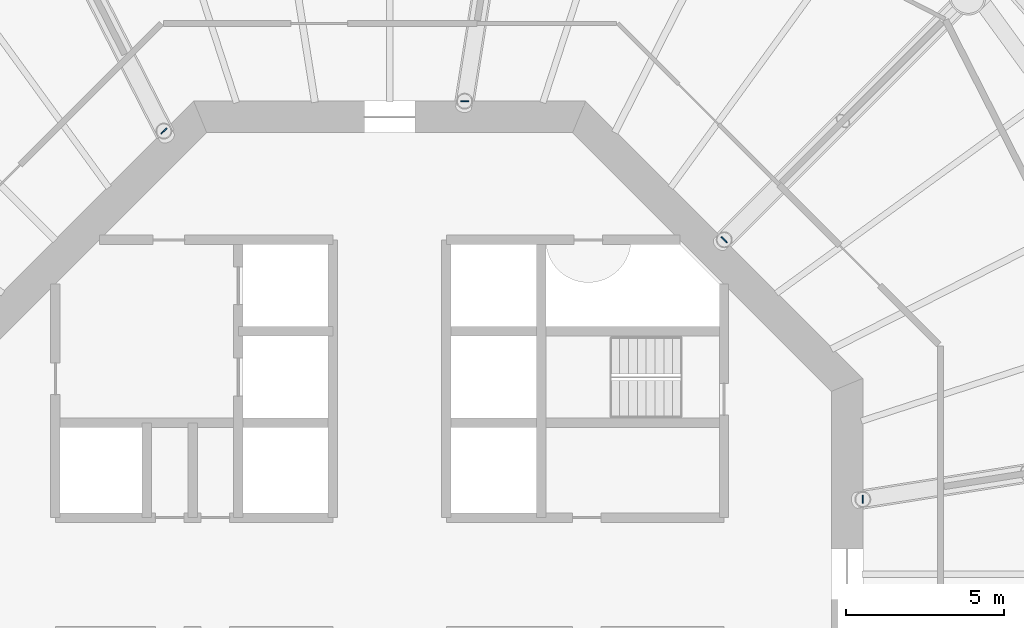
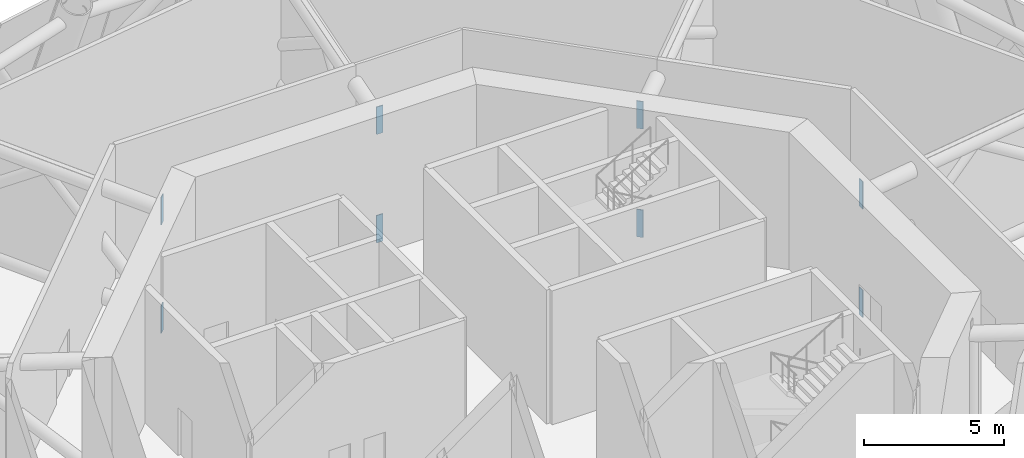
# One storey, part 12 of 15: 8 discrete accessories.
"""IFC4 building model written with IfcOpenShell, lengths in metres."""

from ifc_helpers import new_model, si_unit, direction, frame, origin, origin_2d, place, context, subcontext, project, spatial, rectangle, extrude, material, element, save


model = new_model("IFC4")

# Units and contexts
model_context = context("Model", 3, precision=1e-05, world=origin(), true_north=direction((0.0, 1.0)))
body_context = subcontext(model_context, "Body", "Model", "MODEL_VIEW")
ifc_project = project(units=[si_unit("LENGTHUNIT", "METRE"), si_unit("AREAUNIT", "SQUARE_METRE"), si_unit("VOLUMEUNIT", "CUBIC_METRE"), si_unit("PLANEANGLEUNIT", "RADIAN"), si_unit("MASSUNIT", "GRAM", prefix="KILO")], contexts=[model_context])

# Site, building, storey
site_placement = place(None, origin())
site = spatial("IfcSite", under=ifc_project, at=site_placement, CompositionType="ELEMENT")
building_placement = place(site_placement, origin())
building = spatial("IfcBuilding", under=site, at=building_placement, Name="Entoto Ring Tower", CompositionType="ELEMENT")
storey_placement = place(building_placement, frame((0.0, 0.0, 200.0)))
storey = spatial("IfcBuildingStorey", under=building, at=storey_placement, Name="L46", CompositionType="ELEMENT", Elevation=200.0)

# Discrete accessories
ifc_material = material(Name="Steel S355", Category="steel")
for number, where, z_axis, x_axis, name in (
    (1, (105.0, 82.375732421875, -0.294921875), (0.0, 0.0, 1.0), (1.0, 0.0, 0.0), "Embedded plate L46 bottom 01"),
    (2, (105.0, 82.375732421875, 4.44482421875), (0.0, 0.0, 1.0), (1.0, 0.0, 0.0), "Embedded plate L46 top 01"),
    (3, (100.606689453125, 90.606689453125, -0.294921875), (0.0, 0.0, 1.0), (0.707106781187, 0.707106781187, 0.0), "Embedded plate L46 bottom 02"),
    (4, (100.606689453125, 90.606689453125, 4.44482421875), (0.0, 0.0, 1.0), (0.707106781187, 0.707106781187, 0.0), "Embedded plate L46 top 02"),
    (5, (92.375732421875, 95.0, -0.294921875), (0.0, 0.0, 1.0), (0.0, 1.0, 0.0), "Embedded plate L46 bottom 03"),
    (6, (92.375732421875, 95.0, 4.44482421875), (0.0, 0.0, 1.0), (0.0, 1.0, 0.0), "Embedded plate L46 top 03"),
    (7, (82.839599609375, 94.052978515625, -0.294921875), (0.0, 0.0, 1.0), (-0.707106781187, 0.707106781187, 0.0), "Embedded plate L46 bottom 04"),
    (8, (82.839599609375, 94.052978515625, 4.44482421875), (0.0, 0.0, 1.0), (-0.707106781187, 0.707106781187, 0.0), "Embedded plate L46 top 04"),
):
    element("IfcDiscreteAccessory", number, at=place(storey_placement, frame(where, z_axis=z_axis, x_axis=x_axis)), inside=storey, material=ifc_material, Name=name, PredefinedType="ANCHORPLATE", context=body_context, shape_type="SweptSolid", body=[
        extrude(rectangle(XDim=0.0400390625, YDim=0.25, at=origin_2d()), origin(), (0.0, 0.0, 1.0), 1.199951171875),
    ])

save(model, "model.ifc")
